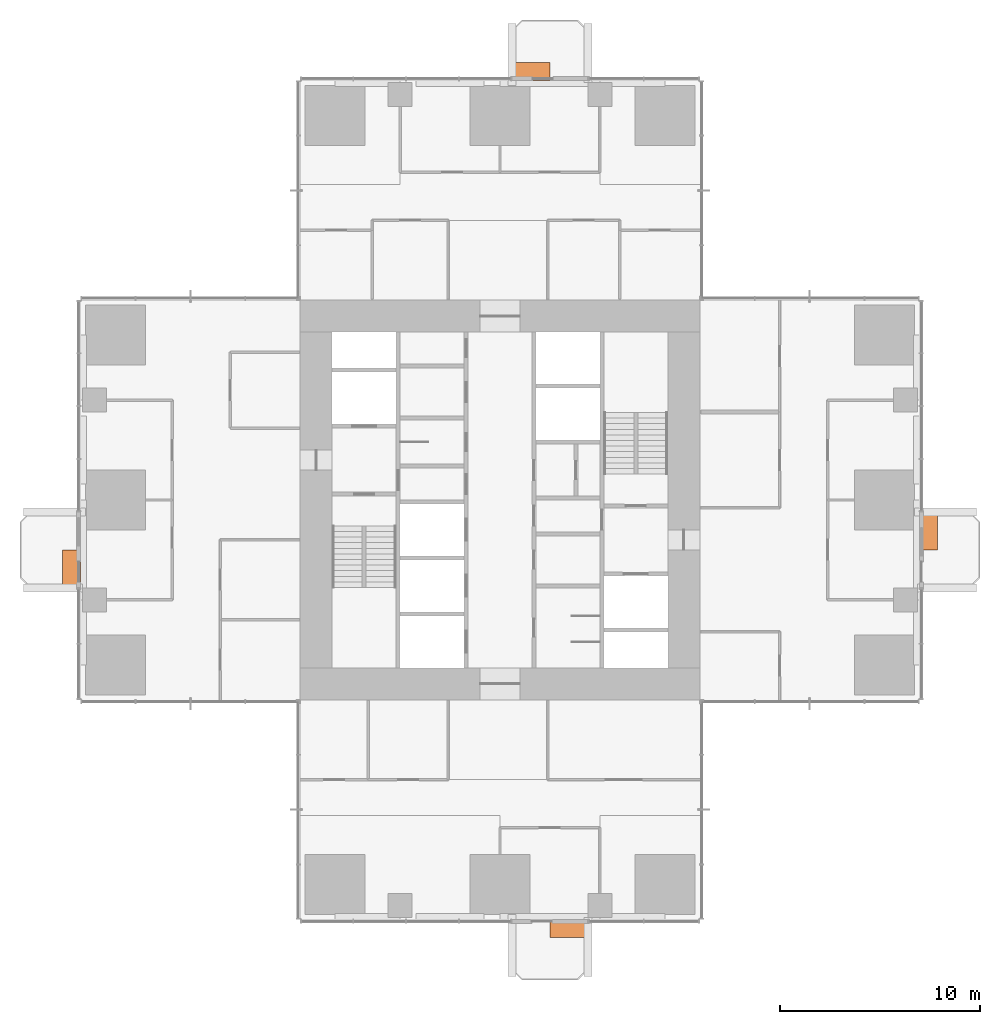
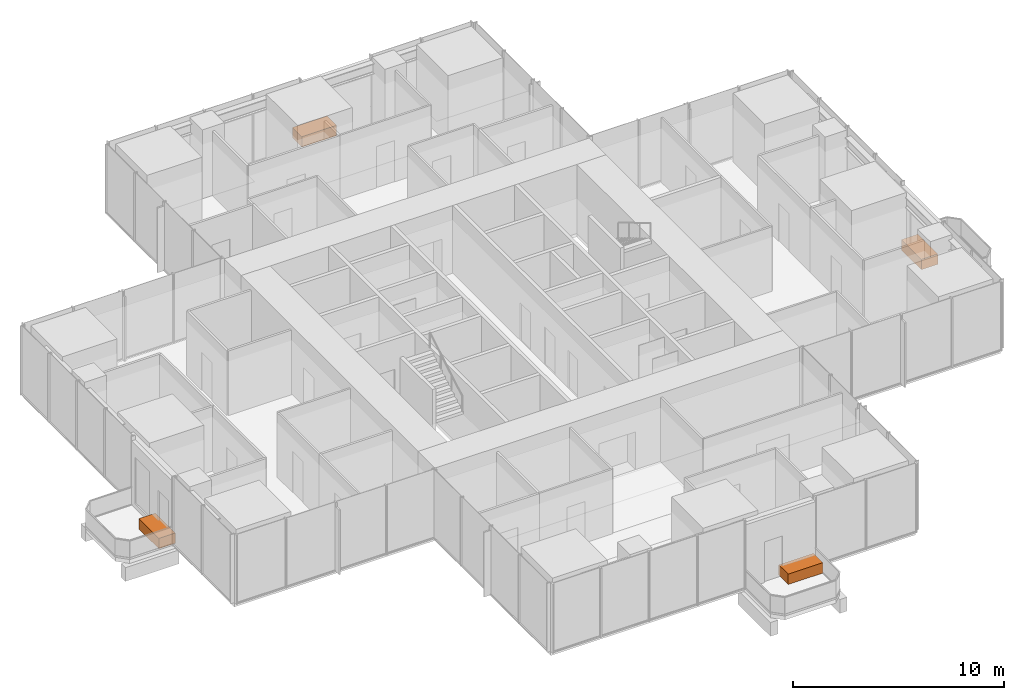
# One storey, part 14 of 14: 4 proxies.
"""IFC4 building model written with IfcOpenShell, lengths in metres."""

from ifc_helpers import new_model, si_unit, direction, frame, origin, origin_2d, place, context, subcontext, project, spatial, rectangle, extrude, element, save


model = new_model("IFC4")

# Units and contexts
model_context = context("Model", 3, precision=1e-05, world=origin(), true_north=direction((0.0, 1.0)))
body_context = subcontext(model_context, "Body", "Model", "MODEL_VIEW")
ifc_project = project(units=[si_unit("LENGTHUNIT", "METRE"), si_unit("AREAUNIT", "SQUARE_METRE"), si_unit("VOLUMEUNIT", "CUBIC_METRE"), si_unit("PLANEANGLEUNIT", "RADIAN"), si_unit("MASSUNIT", "GRAM", prefix="KILO")], contexts=[model_context])

# Site, building, storey
site_placement = place(None, origin())
site = spatial("IfcSite", under=ifc_project, at=site_placement, CompositionType="ELEMENT")
building_placement = place(site_placement, origin())
building = spatial("IfcBuilding", under=site, at=building_placement, Name="Svetlomir Tower", CompositionType="ELEMENT")
storey_placement = place(building_placement, frame((0.0, 0.0, 104.5)))
storey = spatial("IfcBuildingStorey", under=building, at=storey_placement, Name="L24", CompositionType="ELEMENT", Elevation=104.5)

# Proxies
proxy_1_placement = place(storey_placement, frame((24.449951171875, -0.449951171875, 0.0400390625), z_axis=(0.0, 0.0, 1.0), x_axis=(1.0, 0.0, 0.0)))
element("IfcBuildingElementProxy", 1, at=proxy_1_placement, inside=storey, Name="Tree planter S L24", ObjectType="PLANTER", PredefinedType="USERDEFINED", context=body_context, shape_type="SweptSolid", body=[
    extrude(rectangle(XDim=1.89990234375, YDim=0.89990234375, at=origin_2d()), origin(), (0.0, 0.0, 1.0), 0.60009765625),
])
proxy_2_placement = place(storey_placement, frame((42.449951171875, 19.449951171875, 0.0400390625), z_axis=(0.0, 0.0, 1.0), x_axis=(1.0, 0.0, 0.0)))
element("IfcBuildingElementProxy", 2, at=proxy_2_placement, inside=storey, Name="Tree planter E L24", ObjectType="PLANTER", PredefinedType="USERDEFINED", context=body_context, shape_type="SweptSolid", body=[
    extrude(rectangle(XDim=0.89990234375, YDim=1.89990234375, at=origin_2d()), origin(), (0.0, 0.0, 1.0), 0.60009765625),
])
proxy_3_placement = place(storey_placement, frame((22.550048828125, 42.449951171875, 0.0400390625), z_axis=(0.0, 0.0, 1.0), x_axis=(1.0, 0.0, 0.0)))
element("IfcBuildingElementProxy", 3, at=proxy_3_placement, inside=storey, Name="Tree planter N L24", ObjectType="PLANTER", PredefinedType="USERDEFINED", context=body_context, shape_type="SweptSolid", body=[
    extrude(rectangle(XDim=1.89990234375, YDim=0.89990234375, at=origin_2d()), origin(), (0.0, 0.0, 1.0), 0.60009765625),
])
proxy_4_placement = place(storey_placement, frame((-0.449951171875, 17.550048828125, 0.0400390625), z_axis=(0.0, 0.0, 1.0), x_axis=(1.0, 0.0, 0.0)))
element("IfcBuildingElementProxy", 4, at=proxy_4_placement, inside=storey, Name="Tree planter W L24", ObjectType="PLANTER", PredefinedType="USERDEFINED", context=body_context, shape_type="SweptSolid", body=[
    extrude(rectangle(XDim=0.89990234375, YDim=1.89990234375, at=origin_2d()), origin(), (0.0, 0.0, 1.0), 0.60009765625),
])

save(model, "model.ifc")
